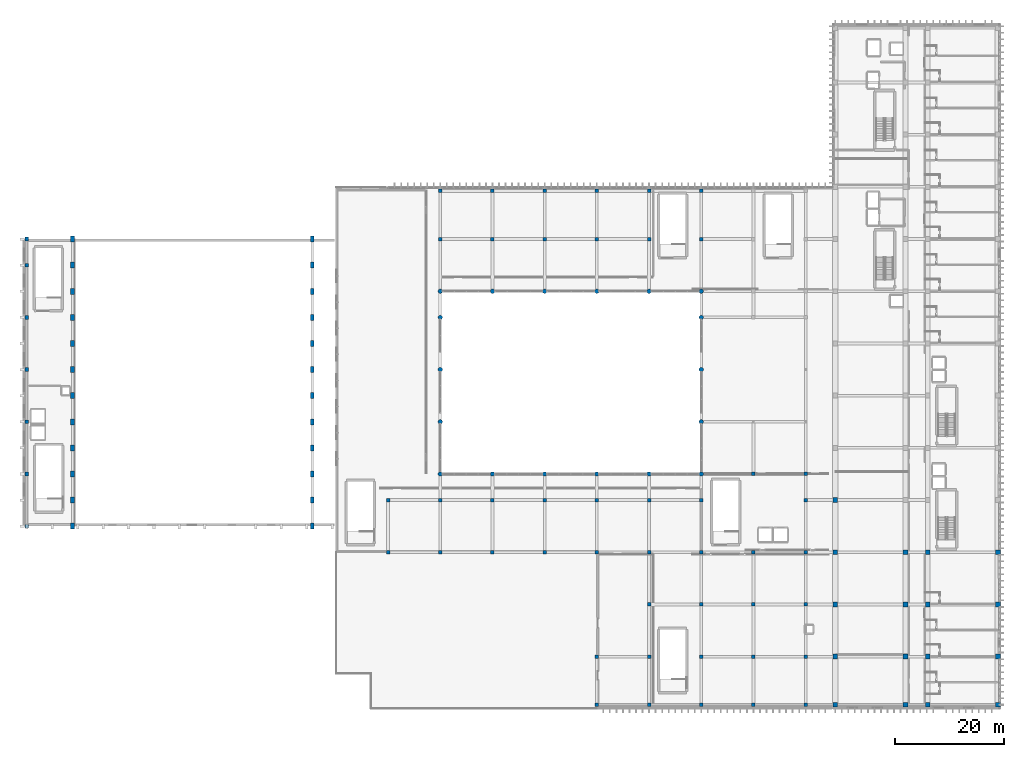
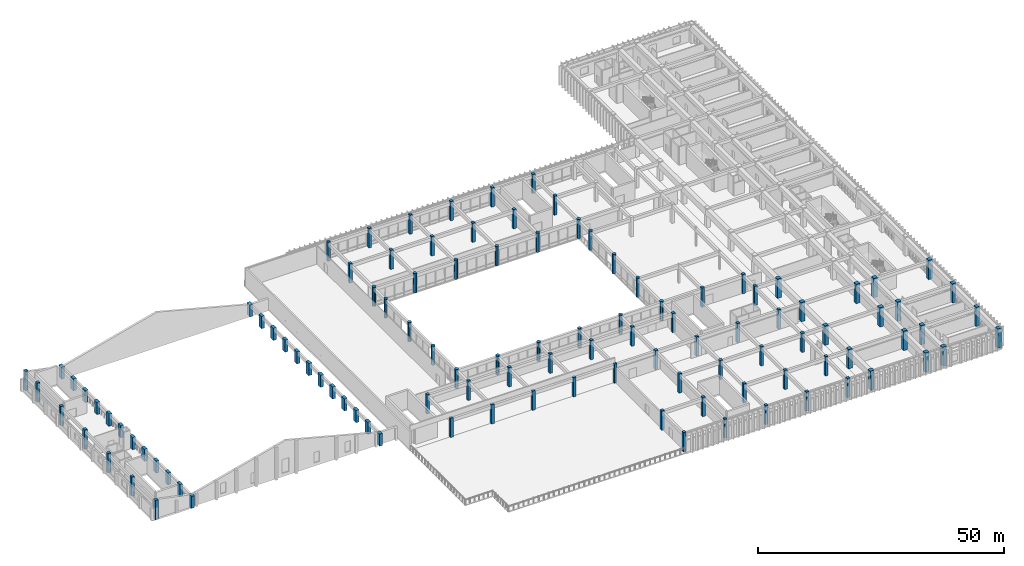
# One storey, part 1 of 101: 111 columns.
"""IFC4 building model written with IfcOpenShell, lengths in metres."""

from ifc_helpers import new_model, si_unit, direction, frame, origin, origin_2d, place, context, subcontext, project, spatial, rectangle, circle, extrude, material, material_profile, profile_set, type_object, element, save


model = new_model("IFC4")

# Units and contexts
model_context = context("Model", 3, precision=1e-05, world=origin(), true_north=direction((0.0, 1.0)))
body_context = subcontext(model_context, "Body", "Model", "MODEL_VIEW")
ifc_project = project(units=[si_unit("LENGTHUNIT", "METRE"), si_unit("AREAUNIT", "SQUARE_METRE"), si_unit("VOLUMEUNIT", "CUBIC_METRE"), si_unit("PLANEANGLEUNIT", "RADIAN"), si_unit("MASSUNIT", "GRAM", prefix="KILO")], contexts=[model_context])

# Site, building, storey
site_placement = place(None, origin())
site = spatial("IfcSite", under=ifc_project, at=site_placement, CompositionType="ELEMENT")
building_placement = place(site_placement, origin())
building = spatial("IfcBuilding", under=site, at=building_placement, Name="Nakhvara Creek Congress Hotel", CompositionType="ELEMENT")
storey_placement = place(building_placement, frame((0.0, 0.0, 16.199951171875)))
storey = spatial("IfcBuildingStorey", under=building, at=storey_placement, Name="L03", CompositionType="ELEMENT", Elevation=16.199951171875)

# Columns
ifc_material = material(Name="Concrete C50/60", Category="concrete")
ifc_material_profile_1 = material_profile(ifc_material, rectangle(XDim=0.64990234375, YDim=0.64990234375, at=origin_2d()), Name="RC-COL 650x650", Category="LoadBearing")
ifc_profile_set_1 = profile_set([ifc_material_profile_1], Name="Concrete C50/60")
column_type_1 = type_object("IfcColumnType", Name="COL-RC-650", PredefinedType="COLUMN", material=ifc_profile_set_1)
for number, where, z_axis, x_axis, name in (
    (1, (67.199951171875, 28.800048828125, 0.0), (0.0, 0.0, 1.0), (1.0, 0.0, 0.0), "Column C07-L03-1245"),
    (2, (67.199951171875, 38.39990234375, 0.0), (0.0, 0.0, 1.0), (1.0, 0.0, 0.0), "Column C07-L03-1246"),
    (3, (76.800048828125, 28.800048828125, 0.0), (0.0, 0.0, 1.0), (1.0, 0.0, 0.0), "Column C07-L03-1247"),
    (4, (76.800048828125, 38.39990234375, 0.0), (0.0, 0.0, 1.0), (1.0, 0.0, 0.0), "Column C07-L03-1248"),
    (5, (76.800048828125, 86.39990234375, 0.0), (0.0, 0.0, 1.0), (1.0, 0.0, 0.0), "Column C07-L03-1254"),
    (6, (76.800048828125, 95.25, 0.0), (0.0, 0.0, 1.0), (1.0, 0.0, 0.0), "Column C07-L03-1255"),
    (7, (86.39990234375, 28.800048828125, 0.0), (0.0, 0.0, 1.0), (1.0, 0.0, 0.0), "Column C07-L03-1256"),
    (8, (86.39990234375, 38.39990234375, 0.0), (0.0, 0.0, 1.0), (1.0, 0.0, 0.0), "Column C07-L03-1257"),
    (9, (86.39990234375, 86.39990234375, 0.0), (0.0, 0.0, 1.0), (1.0, 0.0, 0.0), "Column C07-L03-1260"),
    (10, (86.39990234375, 95.25, 0.0), (0.0, 0.0, 1.0), (1.0, 0.0, 0.0), "Column C07-L03-1261"),
    (11, (96.0, 28.800048828125, 0.0), (0.0, 0.0, 1.0), (1.0, 0.0, 0.0), "Column C07-L03-1262"),
    (12, (96.0, 38.39990234375, 0.0), (0.0, 0.0, 1.0), (1.0, 0.0, 0.0), "Column C07-L03-1263"),
    (13, (96.0, 86.39990234375, 0.0), (0.0, 0.0, 1.0), (1.0, 0.0, 0.0), "Column C07-L03-1266"),
    (14, (96.0, 95.25, 0.0), (0.0, 0.0, 1.0), (1.0, 0.0, 0.0), "Column C07-L03-1267"),
    (15, (105.60009765625, 0.75, 0.0), (0.0, 0.0, 1.0), (1.0, 0.0, 0.0), "Column C07-L03-1268"),
    (16, (105.60009765625, 9.60009765625, 0.0), (0.0, 0.0, 1.0), (1.0, 0.0, 0.0), "Column C07-L03-1269"),
    (17, (105.60009765625, 28.800048828125, 0.0), (0.0, 0.0, 1.0), (1.0, 0.0, 0.0), "Column C07-L03-1270"),
    (18, (105.60009765625, 38.39990234375, 0.0), (0.0, 0.0, 1.0), (1.0, 0.0, 0.0), "Column C07-L03-1271"),
    (19, (105.60009765625, 86.39990234375, 0.0), (0.0, 0.0, 1.0), (1.0, 0.0, 0.0), "Column C07-L03-1274"),
    (20, (105.60009765625, 95.25, 0.0), (0.0, 0.0, 1.0), (1.0, 0.0, 0.0), "Column C07-L03-1275"),
    (21, (115.199951171875, 0.75, 0.0), (0.0, 0.0, 1.0), (1.0, 0.0, 0.0), "Column C07-L03-1276"),
    (22, (115.199951171875, 9.60009765625, 0.0), (0.0, 0.0, 1.0), (1.0, 0.0, 0.0), "Column C07-L03-1277"),
    (23, (115.199951171875, 19.199951171875, 0.0), (0.0, 0.0, 1.0), (1.0, 0.0, 0.0), "Column C07-L03-1278"),
    (24, (115.199951171875, 28.800048828125, 0.0), (0.0, 0.0, 1.0), (1.0, 0.0, 0.0), "Column C07-L03-1279"),
    (25, (115.199951171875, 38.39990234375, 0.0), (0.0, 0.0, 1.0), (1.0, 0.0, 0.0), "Column C07-L03-1280"),
    (26, (115.199951171875, 86.39990234375, 0.0), (0.0, 0.0, 1.0), (1.0, 0.0, 0.0), "Column C07-L03-1283"),
    (27, (115.199951171875, 95.25, 0.0), (0.0, 0.0, 1.0), (1.0, 0.0, 0.0), "Column C07-L03-1284"),
    (28, (124.800048828125, 0.75, 0.0), (0.0, 0.0, 1.0), (1.0, 0.0, 0.0), "Column C07-L03-1285"),
    (29, (124.800048828125, 9.60009765625, 0.0), (0.0, 0.0, 1.0), (1.0, 0.0, 0.0), "Column C07-L03-1286"),
    (30, (124.800048828125, 19.199951171875, 0.0), (0.0, 0.0, 1.0), (1.0, 0.0, 0.0), "Column C07-L03-1287"),
    (31, (124.800048828125, 28.800048828125, 0.0), (0.0, 0.0, 1.0), (1.0, 0.0, 0.0), "Column C07-L03-1288"),
    (32, (124.800048828125, 38.39990234375, 0.0), (0.0, 0.0, 1.0), (1.0, 0.0, 0.0), "Column C07-L03-1289"),
    (33, (124.800048828125, 86.39990234375, 0.0), (0.0, 0.0, 1.0), (1.0, 0.0, 0.0), "Column C07-L03-1295"),
    (34, (124.800048828125, 95.25, 0.0), (0.0, 0.0, 1.0), (1.0, 0.0, 0.0), "Column C07-L03-1296"),
    (35, (134.39990234375, 0.75, 0.0), (0.0, 0.0, 1.0), (1.0, 0.0, 0.0), "Column C07-L03-1297"),
    (36, (134.39990234375, 9.60009765625, 0.0), (0.0, 0.0, 1.0), (1.0, 0.0, 0.0), "Column C07-L03-1298"),
    (37, (134.39990234375, 19.199951171875, 0.0), (0.0, 0.0, 1.0), (1.0, 0.0, 0.0), "Column C07-L03-1299"),
    (38, (134.39990234375, 28.800048828125, 0.0), (0.0, 0.0, 1.0), (1.0, 0.0, 0.0), "Column C07-L03-1300"),
    (39, (134.39990234375, 43.199951171875, 0.0), (0.0, 0.0, 1.0), (1.0, 0.0, 0.0), "Column C07-L03-1301"),
    (40, (144.0, 0.75, 0.0), (0.0, 0.0, 1.0), (1.0, 0.0, 0.0), "Column C07-L03-1307"),
    (41, (144.0, 9.60009765625, 0.0), (0.0, 0.0, 1.0), (1.0, 0.0, 0.0), "Column C07-L03-1308"),
    (42, (144.0, 19.199951171875, 0.0), (0.0, 0.0, 1.0), (1.0, 0.0, 0.0), "Column C07-L03-1309"),
    (43, (144.0, 28.800048828125, 0.0), (0.0, 0.0, 1.0), (1.0, 0.0, 0.0), "Column C07-L03-1310"),
    (44, (144.0, 38.39990234375, 0.0), (0.0, 0.0, 1.0), (1.0, 0.0, 0.0), "Column C07-L03-1311"),
    (45, (144.0, 43.199951171875, 0.0), (0.0, 0.0, 1.0), (1.0, 0.0, 0.0), "Column C07-L03-1312"),
):
    element("IfcColumn", number, at=place(storey_placement, frame(where, z_axis=z_axis, x_axis=x_axis)), inside=storey, type_object=column_type_1, Name=name, PredefinedType="COLUMN", context=body_context, shape_type="SweptSolid", body=[
        extrude(rectangle(XDim=0.64990234375, YDim=0.64990234375, at=origin_2d()), origin(), (0.0, 0.0, 1.0), 4.800048828125),
    ])
ifc_material_profile_2 = material_profile(ifc_material, rectangle(XDim=0.699951171875, YDim=0.699951171875, at=origin_2d()), Name="RC-COL 700x700", Category="LoadBearing")
ifc_profile_set_2 = profile_set([ifc_material_profile_2], Name="Concrete C50/60")
column_type_2 = type_object("IfcColumnType", Name="COL-RC-700", PredefinedType="COLUMN", material=ifc_profile_set_2)
for number, where, z_axis, x_axis, name in (
    (46, (0.75, 33.60009765625, 0.0), (0.0, 0.0, 1.0), (1.0, 0.0, 0.0), "Column C06-L03-1214"),
    (47, (0.75, 43.199951171875, 0.0), (0.0, 0.0, 1.0), (1.0, 0.0, 0.0), "Column C06-L03-1215"),
    (48, (0.75, 52.800048828125, 0.0), (0.0, 0.0, 1.0), (1.0, 0.0, 0.0), "Column C06-L03-1216"),
    (49, (0.75, 62.39990234375, 0.0), (0.0, 0.0, 1.0), (1.0, 0.0, 0.0), "Column C06-L03-1217"),
    (50, (0.75, 72.0, 0.0), (0.0, 0.0, 1.0), (1.0, 0.0, 0.0), "Column C06-L03-1218"),
    (51, (0.75, 81.60009765625, 0.0), (0.0, 0.0, 1.0), (1.0, 0.0, 0.0), "Column C06-L03-1219"),
    (52, (0.75, 86.39990234375, 0.0), (0.0, 0.0, 1.0), (1.0, 0.0, 0.0), "Column C06-L03-1220"),
):
    element("IfcColumn", number, at=place(storey_placement, frame(where, z_axis=z_axis, x_axis=x_axis)), inside=storey, type_object=column_type_2, Name=name, PredefinedType="COLUMN", context=body_context, shape_type="SweptSolid", body=[
        extrude(rectangle(XDim=0.699951171875, YDim=0.699951171875, at=origin_2d()), origin(), (0.0, 0.0, 1.0), 4.800048828125),
    ])
ifc_material_profile_3 = material_profile(ifc_material, rectangle(XDim=0.699951171875, YDim=1.10009765625, at=origin_2d()), Name="RC-COL 700x1100", Category="LoadBearing")
ifc_profile_set_3 = profile_set([ifc_material_profile_3], Name="Concrete C50/60")
column_type_3 = type_object("IfcColumnType", Name="COL-RC-700X1100", PredefinedType="COLUMN", material=ifc_profile_set_3)
for number, where, z_axis, x_axis, name in (
    (53, (9.14990234375, 33.60009765625, 0.0), (0.0, 0.0, 1.0), (1.0, 0.0, 0.0), "Column C12-L03-1221"),
    (54, (53.25, 33.60009765625, 0.0), (0.0, 0.0, 1.0), (1.0, 0.0, 0.0), "Column C12-L03-1222"),
    (55, (9.14990234375, 38.39990234375, 0.0), (0.0, 0.0, 1.0), (1.0, 0.0, 0.0), "Column C12-L03-1223"),
    (56, (53.25, 38.39990234375, 0.0), (0.0, 0.0, 1.0), (1.0, 0.0, 0.0), "Column C12-L03-1224"),
    (57, (9.14990234375, 43.199951171875, 0.0), (0.0, 0.0, 1.0), (1.0, 0.0, 0.0), "Column C12-L03-1225"),
    (58, (53.25, 43.199951171875, 0.0), (0.0, 0.0, 1.0), (1.0, 0.0, 0.0), "Column C12-L03-1226"),
    (59, (9.14990234375, 48.0, 0.0), (0.0, 0.0, 1.0), (1.0, 0.0, 0.0), "Column C12-L03-1227"),
    (60, (53.25, 48.0, 0.0), (0.0, 0.0, 1.0), (1.0, 0.0, 0.0), "Column C12-L03-1228"),
    (61, (9.14990234375, 52.800048828125, 0.0), (0.0, 0.0, 1.0), (1.0, 0.0, 0.0), "Column C12-L03-1229"),
    (62, (53.25, 52.800048828125, 0.0), (0.0, 0.0, 1.0), (1.0, 0.0, 0.0), "Column C12-L03-1230"),
    (63, (9.14990234375, 57.60009765625, 0.0), (0.0, 0.0, 1.0), (1.0, 0.0, 0.0), "Column C12-L03-1231"),
    (64, (53.25, 57.60009765625, 0.0), (0.0, 0.0, 1.0), (1.0, 0.0, 0.0), "Column C12-L03-1232"),
    (65, (9.14990234375, 62.39990234375, 0.0), (0.0, 0.0, 1.0), (1.0, 0.0, 0.0), "Column C12-L03-1233"),
    (66, (53.25, 62.39990234375, 0.0), (0.0, 0.0, 1.0), (1.0, 0.0, 0.0), "Column C12-L03-1234"),
    (67, (9.14990234375, 67.199951171875, 0.0), (0.0, 0.0, 1.0), (1.0, 0.0, 0.0), "Column C12-L03-1235"),
    (68, (53.25, 67.199951171875, 0.0), (0.0, 0.0, 1.0), (1.0, 0.0, 0.0), "Column C12-L03-1236"),
    (69, (9.14990234375, 72.0, 0.0), (0.0, 0.0, 1.0), (1.0, 0.0, 0.0), "Column C12-L03-1237"),
    (70, (53.25, 72.0, 0.0), (0.0, 0.0, 1.0), (1.0, 0.0, 0.0), "Column C12-L03-1238"),
    (71, (9.14990234375, 76.800048828125, 0.0), (0.0, 0.0, 1.0), (1.0, 0.0, 0.0), "Column C12-L03-1239"),
    (72, (53.25, 76.800048828125, 0.0), (0.0, 0.0, 1.0), (1.0, 0.0, 0.0), "Column C12-L03-1240"),
    (73, (9.14990234375, 81.60009765625, 0.0), (0.0, 0.0, 1.0), (1.0, 0.0, 0.0), "Column C12-L03-1241"),
    (74, (53.25, 81.60009765625, 0.0), (0.0, 0.0, 1.0), (1.0, 0.0, 0.0), "Column C12-L03-1242"),
    (75, (9.14990234375, 86.39990234375, 0.0), (0.0, 0.0, 1.0), (1.0, 0.0, 0.0), "Column C12-L03-1243"),
    (76, (53.25, 86.39990234375, 0.0), (0.0, 0.0, 1.0), (1.0, 0.0, 0.0), "Column C12-L03-1244"),
):
    element("IfcColumn", number, at=place(storey_placement, frame(where, z_axis=z_axis, x_axis=x_axis)), inside=storey, type_object=column_type_3, Name=name, PredefinedType="COLUMN", context=body_context, shape_type="SweptSolid", body=[
        extrude(rectangle(XDim=0.699951171875, YDim=1.10009765625, at=origin_2d()), origin(), (0.0, 0.0, 1.0), 3.0),
    ])
ifc_material_profile_4 = material_profile(ifc_material, rectangle(XDim=0.89990234375, YDim=0.89990234375, at=origin_2d()), Name="RC-COL 900x900", Category="LoadBearing")
ifc_profile_set_4 = profile_set([ifc_material_profile_4], Name="Concrete C50/60")
column_type_4 = type_object("IfcColumnType", Name="COL-RC-900", PredefinedType="COLUMN", material=ifc_profile_set_4)
for number, where, z_axis, x_axis, name in (
    (77, (149.449951171875, 0.75, 0.0), (0.0, 0.0, 1.0), (1.0, 0.0, 0.0), "Column C03-L03-1319"),
    (78, (149.449951171875, 9.60009765625, 0.0), (0.0, 0.0, 1.0), (1.0, 0.0, 0.0), "Column C03-L03-1320"),
    (79, (149.449951171875, 19.199951171875, 0.0), (0.0, 0.0, 1.0), (1.0, 0.0, 0.0), "Column C03-L03-1321"),
    (80, (149.449951171875, 28.800048828125, 0.0), (0.0, 0.0, 1.0), (1.0, 0.0, 0.0), "Column C03-L03-1322"),
    (81, (149.449951171875, 38.39990234375, 0.0), (0.0, 0.0, 1.0), (1.0, 0.0, 0.0), "Column C03-L03-1323"),
    (82, (162.35009765625, 0.75, 0.0), (0.0, 0.0, 1.0), (1.0, 0.0, 0.0), "Column C03-L03-1333"),
    (83, (162.35009765625, 9.60009765625, 0.0), (0.0, 0.0, 1.0), (1.0, 0.0, 0.0), "Column C03-L03-1334"),
    (84, (162.35009765625, 19.199951171875, 0.0), (0.0, 0.0, 1.0), (1.0, 0.0, 0.0), "Column C03-L03-1335"),
    (85, (162.35009765625, 28.800048828125, 0.0), (0.0, 0.0, 1.0), (1.0, 0.0, 0.0), "Column C03-L03-1336"),
    (86, (166.449951171875, 0.75, 0.0), (0.0, 0.0, 1.0), (1.0, 0.0, 0.0), "Column C03-L03-1347"),
    (87, (166.449951171875, 9.60009765625, 0.0), (0.0, 0.0, 1.0), (1.0, 0.0, 0.0), "Column C03-L03-1348"),
    (88, (166.449951171875, 19.199951171875, 0.0), (0.0, 0.0, 1.0), (1.0, 0.0, 0.0), "Column C03-L03-1349"),
    (89, (166.449951171875, 28.800048828125, 0.0), (0.0, 0.0, 1.0), (1.0, 0.0, 0.0), "Column C03-L03-1350"),
    (90, (179.35009765625, 0.75, 0.0), (0.0, 0.0, 1.0), (1.0, 0.0, 0.0), "Column C03-L03-1361"),
    (91, (179.35009765625, 9.60009765625, 0.0), (0.0, 0.0, 1.0), (1.0, 0.0, 0.0), "Column C03-L03-1362"),
    (92, (179.35009765625, 19.199951171875, 0.0), (0.0, 0.0, 1.0), (1.0, 0.0, 0.0), "Column C03-L03-1363"),
    (93, (179.35009765625, 28.800048828125, 0.0), (0.0, 0.0, 1.0), (1.0, 0.0, 0.0), "Column C03-L03-1364"),
):
    element("IfcColumn", number, at=place(storey_placement, frame(where, z_axis=z_axis, x_axis=x_axis)), inside=storey, type_object=column_type_4, Name=name, PredefinedType="COLUMN", context=body_context, shape_type="SweptSolid", body=[
        extrude(rectangle(XDim=0.89990234375, YDim=0.89990234375, at=origin_2d()), origin(), (0.0, 0.0, 1.0), 4.800048828125),
    ])
ifc_material_profile_5 = material_profile(ifc_material, circle(Radius=0.39990234375, at=origin_2d()), Name="RC-COL D800", Category="LoadBearing")
ifc_profile_set_5 = profile_set([ifc_material_profile_5], Name="Concrete C50/60")
column_type_5 = type_object("IfcColumnType", Name="COL-RC-D800", PredefinedType="COLUMN", material=ifc_profile_set_5)
for number, where, z_axis, x_axis, name in (
    (94, (76.800048828125, 43.199951171875, 0.0), (0.0, 0.0, 1.0), (1.0, 0.0, 0.0), "Column C14-L03-1249"),
    (95, (76.800048828125, 52.800048828125, 0.0), (0.0, 0.0, 1.0), (1.0, 0.0, 0.0), "Column C14-L03-1250"),
    (96, (76.800048828125, 62.39990234375, 0.0), (0.0, 0.0, 1.0), (1.0, 0.0, 0.0), "Column C14-L03-1251"),
    (97, (76.800048828125, 72.0, 0.0), (0.0, 0.0, 1.0), (1.0, 0.0, 0.0), "Column C14-L03-1252"),
    (98, (76.800048828125, 76.800048828125, 0.0), (0.0, 0.0, 1.0), (1.0, 0.0, 0.0), "Column C14-L03-1253"),
    (99, (86.39990234375, 43.199951171875, 0.0), (0.0, 0.0, 1.0), (1.0, 0.0, 0.0), "Column C14-L03-1258"),
    (100, (86.39990234375, 76.800048828125, 0.0), (0.0, 0.0, 1.0), (1.0, 0.0, 0.0), "Column C14-L03-1259"),
    (101, (96.0, 43.199951171875, 0.0), (0.0, 0.0, 1.0), (1.0, 0.0, 0.0), "Column C14-L03-1264"),
    (102, (96.0, 76.800048828125, 0.0), (0.0, 0.0, 1.0), (1.0, 0.0, 0.0), "Column C14-L03-1265"),
    (103, (105.60009765625, 43.199951171875, 0.0), (0.0, 0.0, 1.0), (1.0, 0.0, 0.0), "Column C14-L03-1272"),
    (104, (105.60009765625, 76.800048828125, 0.0), (0.0, 0.0, 1.0), (1.0, 0.0, 0.0), "Column C14-L03-1273"),
    (105, (115.199951171875, 43.199951171875, 0.0), (0.0, 0.0, 1.0), (1.0, 0.0, 0.0), "Column C14-L03-1281"),
    (106, (115.199951171875, 76.800048828125, 0.0), (0.0, 0.0, 1.0), (1.0, 0.0, 0.0), "Column C14-L03-1282"),
    (107, (124.800048828125, 43.199951171875, 0.0), (0.0, 0.0, 1.0), (1.0, 0.0, 0.0), "Column C14-L03-1290"),
    (108, (124.800048828125, 52.800048828125, 0.0), (0.0, 0.0, 1.0), (1.0, 0.0, 0.0), "Column C14-L03-1291"),
    (109, (124.800048828125, 62.39990234375, 0.0), (0.0, 0.0, 1.0), (1.0, 0.0, 0.0), "Column C14-L03-1292"),
    (110, (124.800048828125, 72.0, 0.0), (0.0, 0.0, 1.0), (1.0, 0.0, 0.0), "Column C14-L03-1293"),
    (111, (124.800048828125, 76.800048828125, 0.0), (0.0, 0.0, 1.0), (1.0, 0.0, 0.0), "Column C14-L03-1294"),
):
    element("IfcColumn", number, at=place(storey_placement, frame(where, z_axis=z_axis, x_axis=x_axis)), inside=storey, type_object=column_type_5, Name=name, PredefinedType="COLUMN", context=body_context, shape_type="SweptSolid", body=[
        extrude(circle(Radius=0.39990234375, at=origin_2d()), origin(), (0.0, 0.0, 1.0), 4.800048828125),
    ])

save(model, "model.ifc")
